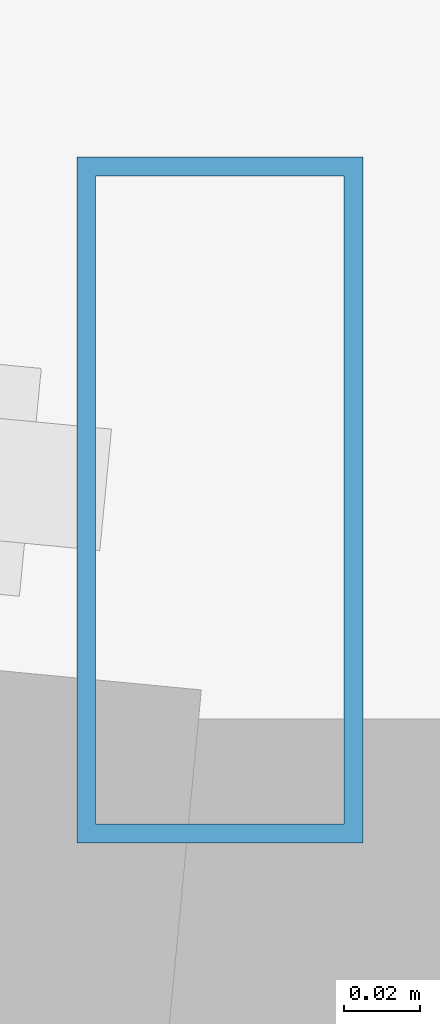
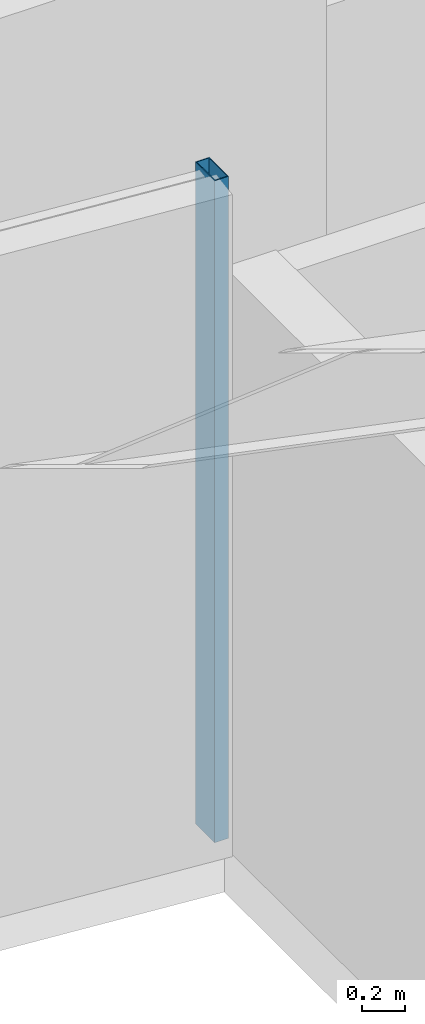
# One storey, part 4 of 18: 1 member, 1 element without a shape of its own.
"""IFC4 building model written with IfcOpenShell, lengths in metres."""

from ifc_helpers import new_model, si_unit, direction, frame, origin, origin_2d, place, context, subcontext, project, spatial, hollow_rectangle, extrude, material, layer, layer_set, material_profile, profile_set, type_object, element, aggregate, save


model = new_model("IFC4")

# Units and contexts
model_context = context("Model", 3, precision=1e-05, world=origin(), true_north=direction((0.0, 1.0)))
body_context = subcontext(model_context, "Body", "Model", "MODEL_VIEW")
ifc_project = project(units=[si_unit("LENGTHUNIT", "METRE"), si_unit("AREAUNIT", "SQUARE_METRE"), si_unit("VOLUMEUNIT", "CUBIC_METRE"), si_unit("PLANEANGLEUNIT", "RADIAN"), si_unit("MASSUNIT", "GRAM", prefix="KILO")], contexts=[model_context])

# Site, building, storey
site_placement = place(None, origin())
site = spatial("IfcSite", under=ifc_project, at=site_placement, CompositionType="ELEMENT")
building_placement = place(site_placement, origin())
building = spatial("IfcBuilding", under=site, at=building_placement, Name="Veymaron Broadcast Tower", CompositionType="ELEMENT")
storey_placement = place(building_placement, frame((0.0, 0.0, 236.39990234375)))
storey = spatial("IfcBuildingStorey", under=building, at=storey_placement, Name="L55", CompositionType="ELEMENT", Elevation=236.39990234375)

# Curtain wall, member
ifc_material_1 = material(Name="Anodised aluminium AA 6063-T6 and laminated low-E dark glass", Category="aluminium")
ifc_layer = layer(ifc_material_1, 0.179931640625)
ifc_layer_set = layer_set([ifc_layer], Name="Anodised aluminium AA 6063-T6 and laminated low-E dark glass")
curtain_wall_type = type_object("IfcCurtainWallType", Name="CW-SYS-05", PredefinedType="NOTDEFINED", material=ifc_layer_set)
curtain_wall_placement = place(storey_placement, origin())
curtain_wall = element("IfcCurtainWall", 1, at=curtain_wall_placement, inside=storey, type_object=curtain_wall_type, Name="L55 dark-glass curtain wall CW-L55-E16-1", PredefinedType="NOTDEFINED")
ifc_material_2 = material(Name="Anodised aluminium AA 6063-T6", Category="aluminium")
ifc_material_profile = material_profile(ifc_material_2, hollow_rectangle(XDim=0.074951171875, YDim=0.179931640625, WallThickness=0.0048828125, at=origin_2d()), Name="AL180X75X5")
ifc_profile_set = profile_set([ifc_material_profile], Name="Anodised aluminium AA 6063-T6")
member_type = type_object("IfcMemberType", Name="CW-MUL-02", PredefinedType="MULLION", material=ifc_profile_set)
member_placement = place(storey_placement, frame((26.885498046875, 18.947509765625, 0.0), z_axis=(0.0, 0.0, 1.0), x_axis=(1.0, 0.0, 0.0)))
member = element("IfcMember", 2, at=member_placement, type_object=member_type, Name="CW-L55-E16-1 mullion 2", PredefinedType="MULLION", context=body_context, shape_type="SweptSolid", body=[
    extrude(hollow_rectangle(XDim=0.074951171875, YDim=0.179931640625, WallThickness=0.0048828125, at=origin_2d()), origin(), (0.0, 0.0, 1.0), 3.7900390625),
])
aggregate(curtain_wall, [member])

save(model, "model.ifc")
